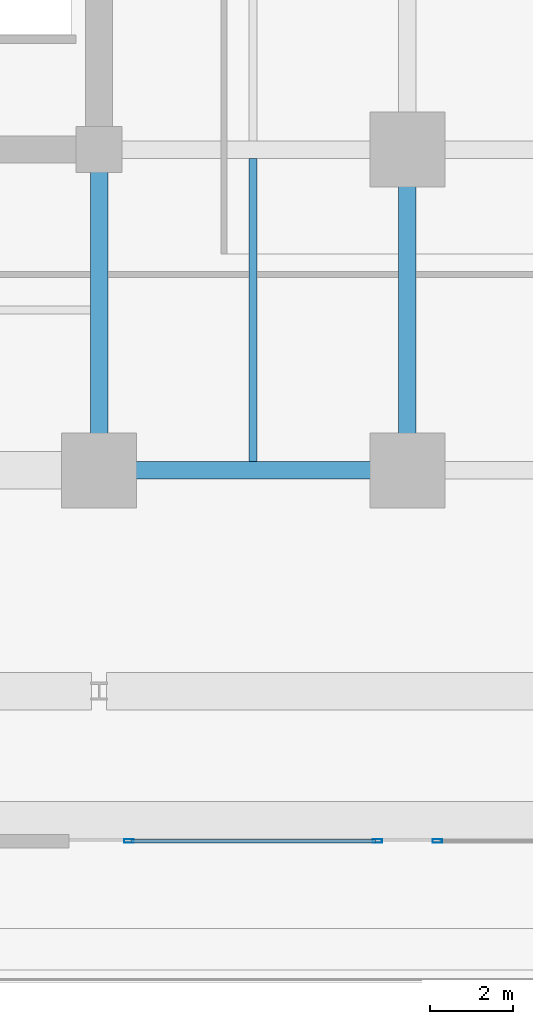
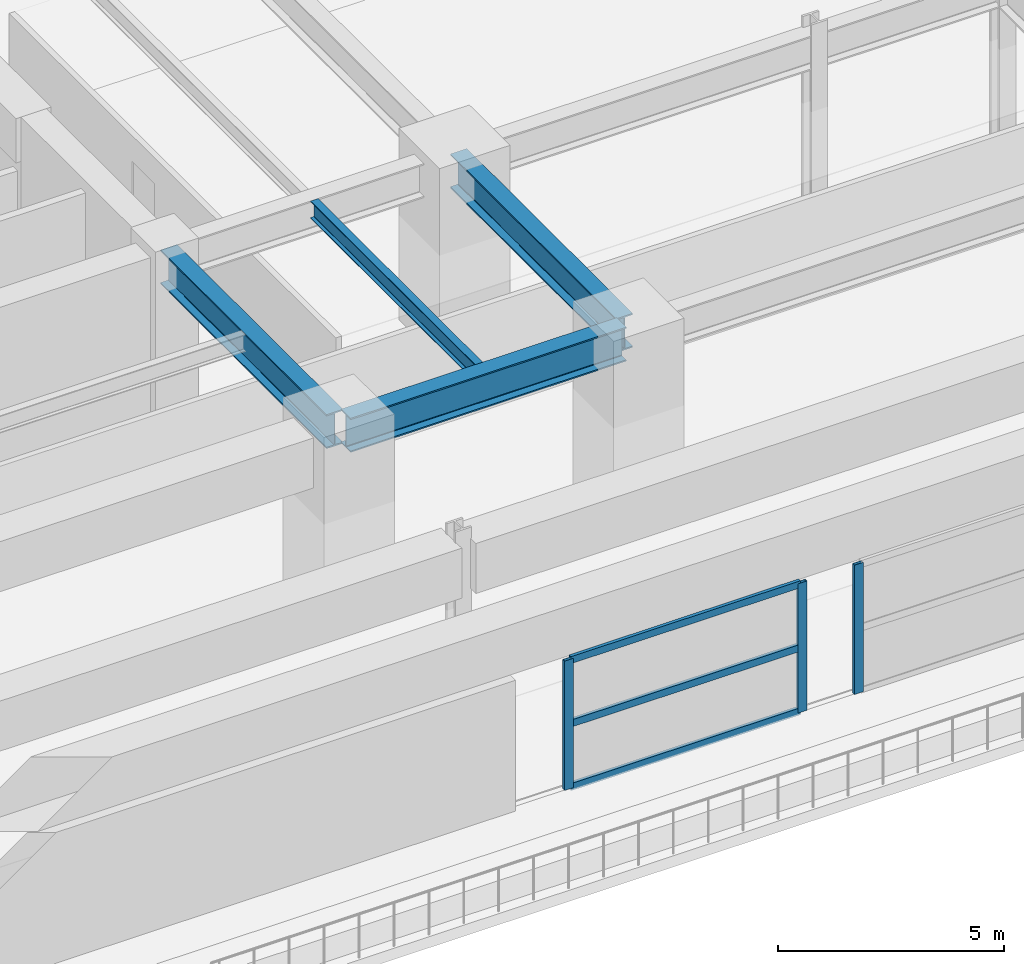
# One storey, part 11 of 45: 6 members, 4 beams, 2 elements without a shape of their own.
"""IFC4 building model written with IfcOpenShell, lengths in metres."""

from ifc_helpers import new_model, si_unit, direction, frame, origin, origin_2d, place, context, subcontext, project, spatial, hollow_rectangle, i_section, extrude, material, material_profile, profile_set, type_object, element, aggregate, save


model = new_model("IFC4")

# Units and contexts
model_context = context("Model", 3, precision=1e-05, world=origin(), true_north=direction((0.0, 1.0)))
body_context = subcontext(model_context, "Body", "Model", "MODEL_VIEW")
ifc_project = project(units=[si_unit("LENGTHUNIT", "METRE"), si_unit("AREAUNIT", "SQUARE_METRE"), si_unit("VOLUMEUNIT", "CUBIC_METRE"), si_unit("PLANEANGLEUNIT", "RADIAN"), si_unit("MASSUNIT", "GRAM", prefix="KILO")], contexts=[model_context])

# Site, building, storey
site_placement = place(None, origin())
site = spatial("IfcSite", under=ifc_project, at=site_placement, CompositionType="ELEMENT")
building_placement = place(site_placement, origin())
building = spatial("IfcBuilding", under=site, at=building_placement, Name="Kovane Verandah Tower", CompositionType="ELEMENT")
storey_placement = place(building_placement, frame((0.0, 0.0, 6.0)))
storey = spatial("IfcBuildingStorey", under=building, at=storey_placement, Name="L01", CompositionType="ELEMENT", Elevation=6.0)

# Beams
ifc_material_1 = material(Name="Steel S460", Category="steel")
ifc_material_profile_1 = material_profile(ifc_material_1, i_section(OverallWidth=0.42041015625, OverallDepth=0.9208984375, WebThickness=0.021484375, FlangeThickness=0.03662109375, FilletRadius=0.024169921875, at=origin_2d()), Name="UB914x419x388")
ifc_profile_set_1 = profile_set([ifc_material_profile_1], Name="Steel S460")
beam_type_1 = type_object("IfcBeamType", Name="BM-UB914x388", PredefinedType="BEAM", material=ifc_profile_set_1)
beam_1_placement = place(storey_placement, frame((51.179931640625, 10.800048828125, 4.45947265625), z_axis=(1.0, 0.0, 0.0), x_axis=(0.0, 1.0, 0.0)))
element("IfcBeam", 1, at=beam_1_placement, inside=storey, type_object=beam_type_1, Name="L01 Primary Tower Girder G-RS3", PredefinedType="BEAM", context=body_context, shape_type="SweptSolid", body=[
    extrude(i_section(OverallWidth=0.42041015625, OverallDepth=0.9208984375, WebThickness=0.021484375, FlangeThickness=0.03662109375, FilletRadius=0.024169921875, at=origin_2d()), origin(), (0.0, 0.0, 1.0), 7.0400390625),
])
for number, where, z_axis, x_axis, name in (
    (2, (58.39990234375, 10.97998046875, 4.45947265625), (0.0, 1.0, 0.0), (-1.0, 0.0, 0.0), "L01 Primary Tower Girder G-RE1"),
    (3, (51.0, 18.320068359375, 4.45947265625), (0.0, -1.0, 0.0), (1.0, 0.0, 0.0), "L01 Primary Tower Girder G-S2"),
):
    element("IfcBeam", number, at=place(storey_placement, frame(where, z_axis=z_axis, x_axis=x_axis)), inside=storey, type_object=beam_type_1, Name=name, PredefinedType="BEAM", context=body_context, shape_type="SweptSolid", body=[
        extrude(i_section(OverallWidth=0.42041015625, OverallDepth=0.9208984375, WebThickness=0.021484375, FlangeThickness=0.03662109375, FilletRadius=0.024169921875, at=origin_2d()), origin(), (0.0, 0.0, 1.0), 7.340087890625),
    ])

# Curtain wall, members
ifc_material_2 = material(Name="Champagne Anodised Aluminium Frame with Low-E Clear Laminated Glass", Category="aluminium")
curtain_wall_type = type_object("IfcCurtainWallType", Name="CW-SYS-01-POD", PredefinedType="NOTDEFINED", material=ifc_material_2)
curtain_wall_1_placement = place(storey_placement, origin())
curtain_wall_1 = element("IfcCurtainWall", 4, at=curtain_wall_1_placement, inside=storey, type_object=curtain_wall_type, Name="L01 South Podium Curtain Wall Bay 5.1", PredefinedType="NOTDEFINED")
ifc_material_3 = material(Name="Champagne Anodised Aluminium 6063-T6", Category="aluminium")
ifc_material_profile_2 = material_profile(ifc_material_3, hollow_rectangle(XDim=0.0849609375, YDim=0.22998046875, WallThickness=0.00390625, at=origin_2d()), Name="AL85x230x4")
ifc_profile_set_2 = profile_set([ifc_material_profile_2], Name="Champagne Anodised Aluminium 6063-T6")
member_type_1 = type_object("IfcMemberType", Name="CW-MUL-85x230", PredefinedType="MULLION", material=ifc_profile_set_2)
member_1_placement = place(storey_placement, frame((51.719970703125, 1.89990234375, 0.02001953125), z_axis=(0.0, 0.0, 1.0), x_axis=(0.0, -1.0, 0.0)))
member_1 = element("IfcMember", 5, at=member_1_placement, type_object=member_type_1, Name="L01 South Podium Curtain Wall Bay 5.1 Mullion 1", PredefinedType="MULLION", context=body_context, shape_type="SweptSolid", body=[
    extrude(hollow_rectangle(XDim=0.0849609375, YDim=0.22998046875, WallThickness=0.00390625, at=origin_2d()), origin(), (0.0, 0.0, 1.0), 3.489990234375),
])
member_2_placement = place(storey_placement, frame((57.679931640625, 1.89990234375, 0.02001953125), z_axis=(0.0, 0.0, 1.0), x_axis=(0.0, -1.0, 0.0)))
member_2 = element("IfcMember", 6, at=member_2_placement, type_object=member_type_1, Name="L01 South Podium Curtain Wall Bay 5.1 Mullion 2", PredefinedType="MULLION", context=body_context, shape_type="SweptSolid", body=[
    extrude(hollow_rectangle(XDim=0.0849609375, YDim=0.22998046875, WallThickness=0.00390625, at=origin_2d()), origin(), (0.0, 0.0, 1.0), 3.489990234375),
])

# Curtain wall, member
curtain_wall_2_placement = place(storey_placement, origin())
curtain_wall_2 = element("IfcCurtainWall", 7, at=curtain_wall_2_placement, inside=storey, type_object=curtain_wall_type, Name="L01 South Podium Curtain Wall Bay 6.1", PredefinedType="NOTDEFINED")
member_3_placement = place(storey_placement, frame((59.1201171875, 1.89990234375, 0.02001953125), z_axis=(0.0, 0.0, 1.0), x_axis=(0.0, -1.0, 0.0)))
member_3 = element("IfcMember", 8, at=member_3_placement, type_object=member_type_1, Name="L01 South Podium Curtain Wall Bay 6.1 Mullion 1", PredefinedType="MULLION", context=body_context, shape_type="SweptSolid", body=[
    extrude(hollow_rectangle(XDim=0.0849609375, YDim=0.22998046875, WallThickness=0.00390625, at=origin_2d()), origin(), (0.0, 0.0, 1.0), 3.489990234375),
])
aggregate(curtain_wall_2, [member_3])

# Member
ifc_material_profile_3 = material_profile(ifc_material_3, hollow_rectangle(XDim=0.0849609375, YDim=0.18994140625, WallThickness=0.00390625, at=origin_2d()), Name="AL85x190x4")
ifc_profile_set_3 = profile_set([ifc_material_profile_3], Name="Champagne Anodised Aluminium 6063-T6")
member_type_2 = type_object("IfcMemberType", Name="CW-TRN-85x190", PredefinedType="USERDEFINED", material=ifc_profile_set_3)
member_4_placement = place(storey_placement, frame((51.77001953125, 1.89990234375, 0.050048828125), z_axis=(1.0, 0.0, 0.0), x_axis=(0.0, 1.0, 0.0)))
member_4 = element("IfcMember", 9, at=member_4_placement, type_object=member_type_2, Name="L01 South Podium Curtain Wall Bay 5.1 Transom TB Bay 1", ObjectType="TRANSOM", PredefinedType="USERDEFINED", context=body_context, shape_type="SweptSolid", body=[
    extrude(hollow_rectangle(XDim=0.0849609375, YDim=0.18994140625, WallThickness=0.00390625, at=origin_2d()), origin(), (0.0, 0.0, 1.0), 5.85986328125),
])

member_5_placement = place(storey_placement, frame((51.77001953125, 1.89990234375, 1.764892578125), z_axis=(1.0, 0.0, 0.0), x_axis=(0.0, 1.0, 0.0)))
member_5 = element("IfcMember", 10, at=member_5_placement, type_object=member_type_2, Name="L01 South Podium Curtain Wall Bay 5.1 Transom TM Bay 1", ObjectType="TRANSOM", PredefinedType="USERDEFINED", context=body_context, shape_type="SweptSolid", body=[
    extrude(hollow_rectangle(XDim=0.0849609375, YDim=0.18994140625, WallThickness=0.00390625, at=origin_2d()), origin(), (0.0, 0.0, 1.0), 5.85986328125),
])

member_6_placement = place(storey_placement, frame((51.77001953125, 1.89990234375, 3.47998046875), z_axis=(1.0, 0.0, 0.0), x_axis=(0.0, 1.0, 0.0)))
member_6 = element("IfcMember", 11, at=member_6_placement, type_object=member_type_2, Name="L01 South Podium Curtain Wall Bay 5.1 Transom TT Bay 1", ObjectType="TRANSOM", PredefinedType="USERDEFINED", context=body_context, shape_type="SweptSolid", body=[
    extrude(hollow_rectangle(XDim=0.0849609375, YDim=0.18994140625, WallThickness=0.00390625, at=origin_2d()), origin(), (0.0, 0.0, 1.0), 5.85986328125),
])

aggregate(curtain_wall_1, [member_1, member_2, member_4, member_5, member_6])

# Beam
ifc_material_4 = material(Name="Steel S355", Category="steel")
ifc_material_profile_4 = material_profile(ifc_material_4, i_section(OverallWidth=0.19287109375, OverallDepth=0.46728515625, WebThickness=0.011474609375, FlangeThickness=0.01953125, FilletRadius=0.01025390625, at=origin_2d()), Name="UB457x191x98")
ifc_profile_set_4 = profile_set([ifc_material_profile_4], Name="Steel S355")
beam_type_2 = type_object("IfcBeamType", Name="JST-UB457x98", PredefinedType="JOIST", material=ifc_profile_set_4)
beam_2_placement = place(storey_placement, frame((54.699951171875, 11.00830078125, 4.686279296875), z_axis=(0.0, 1.0, 0.0), x_axis=(-1.0, 0.0, 0.0)))
element("IfcBeam", 12, at=beam_2_placement, inside=storey, type_object=beam_type_2, Name="L01 Secondary Composite Joist J-SE1", PredefinedType="JOIST", context=body_context, shape_type="SweptSolid", body=[
    extrude(i_section(OverallWidth=0.19287109375, OverallDepth=0.46728515625, WebThickness=0.011474609375, FlangeThickness=0.01953125, FilletRadius=0.01025390625, at=origin_2d()), origin(), (0.0, 0.0, 1.0), 7.283447265625),
])

save(model, "model.ifc")
